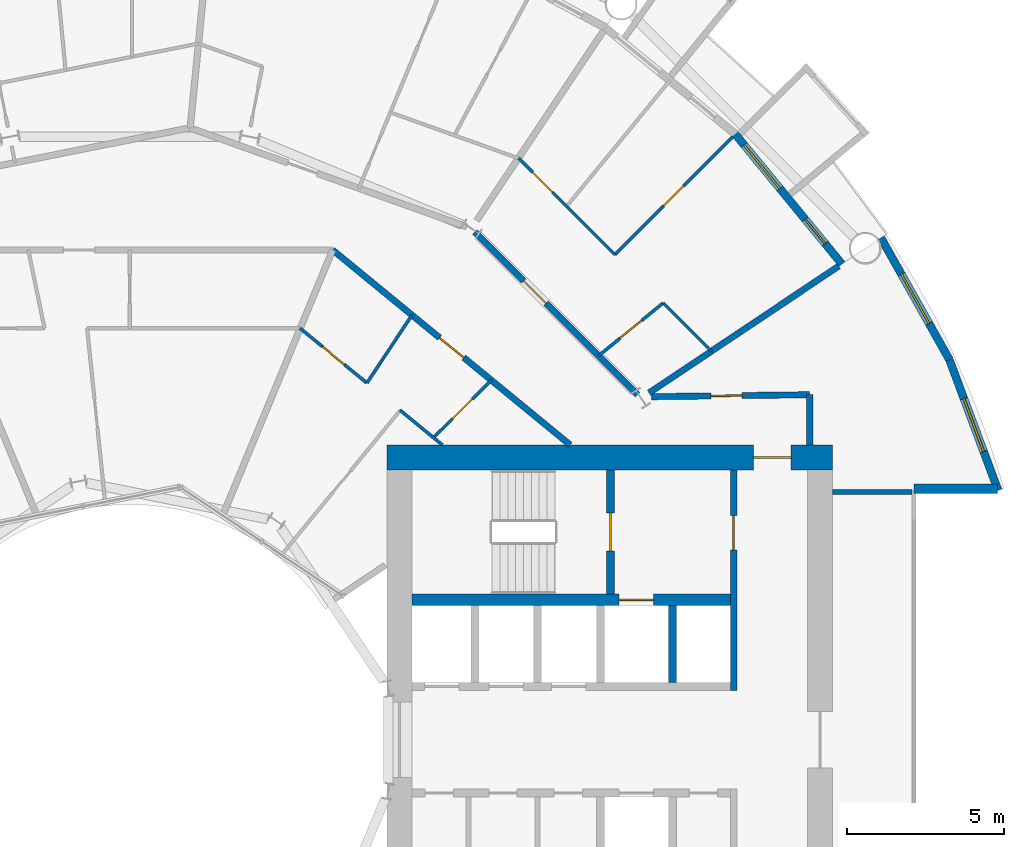
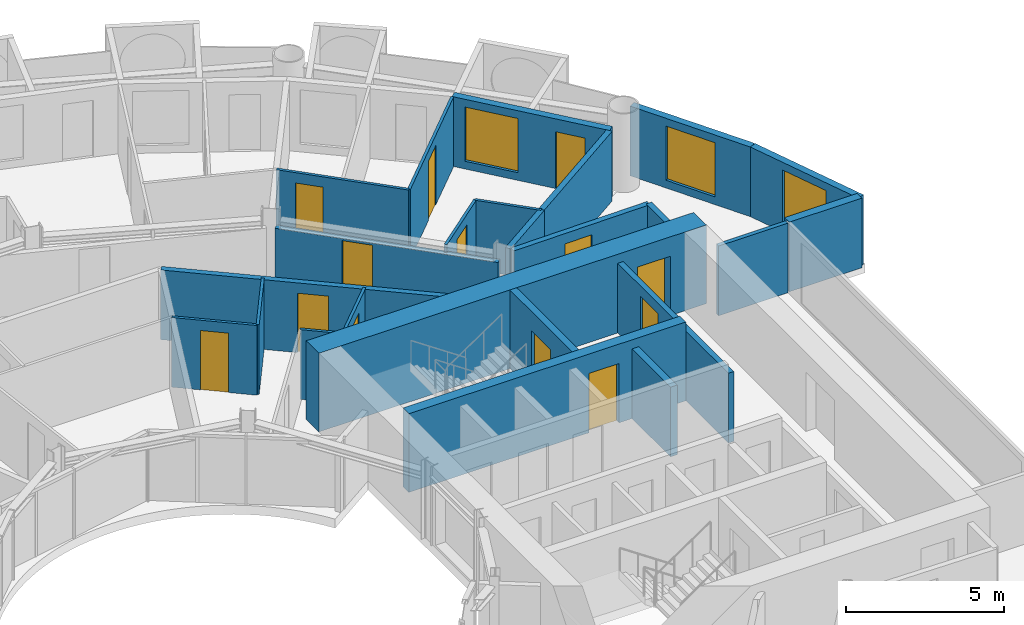
# One storey, part 21 of 26: 24 walls, 13 doors, 3 windows, 16 openings.
"""IFC4 building model written with IfcOpenShell, lengths in metres."""

from ifc_helpers import new_model, si_unit, direction, frame, frame_2d, origin, place, context, subcontext, project, spatial, rectangle, extrude, material, layer, layer_set, type_object, element, fill, save


model = new_model("IFC4")

# Units and contexts
model_context = context("Model", 3, precision=1e-05, world=origin(), true_north=direction((0.0, 1.0)))
body_context = subcontext(model_context, "Body", "Model", "MODEL_VIEW")
ifc_project = project(units=[si_unit("LENGTHUNIT", "METRE"), si_unit("AREAUNIT", "SQUARE_METRE"), si_unit("VOLUMEUNIT", "CUBIC_METRE"), si_unit("PLANEANGLEUNIT", "RADIAN"), si_unit("MASSUNIT", "GRAM", prefix="KILO")], contexts=[model_context])

# Site, building, storey
site_placement = place(None, origin())
site = spatial("IfcSite", under=ifc_project, at=site_placement, CompositionType="ELEMENT")
building_placement = place(site_placement, origin())
building = spatial("IfcBuilding", under=site, at=building_placement, Name="Maasbend Ring Residences", CompositionType="ELEMENT")
storey_placement = place(building_placement, frame((0.0, 0.0, 35.0)))
storey = spatial("IfcBuildingStorey", under=building, at=storey_placement, Name="L09", CompositionType="ELEMENT", Elevation=35.0)

# Wall, opening, door
ifc_material_1 = material(Name="Concrete C70/85", Category="concrete")
ifc_layer_1 = layer(ifc_material_1, 0.25)
ifc_layer_set_1 = layer_set([ifc_layer_1], Name="Concrete C70/85")
wall_type_1 = type_object("IfcWallType", Name="CORE WALL 250 C70/85", PredefinedType="SHEAR", material=ifc_layer_set_1)
wall_1_placement = place(storey_placement, frame((15.324951171875, 4.64990234375, 0.0), z_axis=(0.0, 0.0, 1.0), x_axis=(0.0, 1.0, 0.0)))
wall_1 = element("IfcWall", 1, at=wall_1_placement, inside=storey, type_object=wall_type_1, Name="L09 core E wall STEN", PredefinedType="SHEAR", context=body_context, shape_type="SweptSolid", body=[
    extrude(rectangle(XDim=3.9501953125, YDim=0.25, at=frame_2d((1.97509765625, 0.0))), origin(), (0.0, 0.0, 1.0), 3.050048828125),
])
opening_1_placement = place(wall_1_placement, frame((1.375, 0.0, 0.0)))
opening_1 = element("IfcOpeningElement", 2, at=opening_1_placement, cuts=wall_1, Name="Opening D-E0911", PredefinedType="OPENING", context=body_context, shape_type="SweptSolid", body=[
    extrude(rectangle(XDim=1.199951171875, YDim=2.300048828125, at=frame_2d((0.60009765625, 1.14990234375))), frame((0.0, 0.135009765625, 0.0), z_axis=(0.0, -1.0, 0.0), x_axis=(1.0, 0.0, 0.0)), (0.0, 0.0, 1.0), 0.27001953125),
])
ifc_material_2 = material(Name="Steel, powder coated", Category="steel")
door_type_1 = type_object("IfcDoorType", Name="STAIR DOOR 1200 X 2300 FD60", OperationType="NOTDEFINED", PredefinedType="DOOR", material=ifc_material_2)
door_1_placement = place(opening_1_placement, origin())
door_1 = element("IfcDoor", 3, at=door_1_placement, inside=storey, type_object=door_type_1, Name="Stair door ST-E L09", OperationType="SINGLE_SWING_LEFT", OverallHeight=2.300048828125, OverallWidth=1.199951171875, PredefinedType="DOOR", context=body_context, shape_type="SweptSolid", body=[
    extrude(rectangle(XDim=1.199951171875, YDim=2.300048828125, at=frame_2d((0.60009765625, 1.14990234375))), frame((0.0, 0.02490234375, 0.0), z_axis=(0.0, -1.0, 0.0), x_axis=(1.0, 0.0, 0.0)), (0.0, 0.0, 1.0), 0.050048828125),
])
fill(opening_1, door_1)

ifc_material_3 = material(Name="Concrete C70/85", Category="concrete")
ifc_layer_2 = layer(ifc_material_3, 0.375)
ifc_layer_set_2 = layer_set([ifc_layer_2], Name="Concrete C70/85")
wall_type_2 = type_object("IfcWallType", Name="CORE WALL 375 C70/85", PredefinedType="SHEAR", material=ifc_layer_set_2)
wall_2_placement = place(storey_placement, frame((9.0, 4.46240234375, 0.0), z_axis=(0.0, 0.0, 1.0), x_axis=(1.0, 0.0, 0.0)))
wall_2 = element("IfcWall", 4, at=wall_2_placement, inside=storey, type_object=wall_type_2, Name="L09 core E wall BN", PredefinedType="SHEAR", context=body_context, shape_type="SweptSolid", body=[
    extrude(rectangle(XDim=10.14990234375, YDim=0.375, at=frame_2d((5.074951171875, 0.0))), origin(), (0.0, 0.0, 1.0), 3.050048828125),
])
opening_2_placement = place(wall_2_placement, frame((6.60009765625, 0.0, 0.0)))
opening_2 = element("IfcOpeningElement", 5, at=opening_2_placement, cuts=wall_2, Name="Opening LD-E0904", PredefinedType="OPENING", context=body_context, shape_type="SweptSolid", body=[
    extrude(rectangle(XDim=1.10009765625, YDim=2.300048828125, at=frame_2d((0.550048828125, 1.14990234375))), frame((0.0, 0.197509765625, 0.0), z_axis=(0.0, -1.0, 0.0), x_axis=(1.0, 0.0, 0.0)), (0.0, 0.0, 1.0), 0.39501953125),
])
ifc_material_4 = material(Name="Stainless steel 316", Category="steel")
door_type_2 = type_object("IfcDoorType", Name="LANDING DOOR 1100 X 2300 FD60", OperationType="DOUBLE_DOOR_SLIDING", PredefinedType="DOOR", material=ifc_material_4)
door_2_placement = place(opening_2_placement, origin())
door_2 = element("IfcDoor", 6, at=door_2_placement, inside=storey, type_object=door_type_2, Name="Landing door FF-E L09", OperationType="DOUBLE_DOOR_SLIDING", OverallHeight=2.300048828125, OverallWidth=1.10009765625, PredefinedType="DOOR", context=body_context, shape_type="SweptSolid", body=[
    extrude(rectangle(XDim=1.10009765625, YDim=2.300048828125, at=frame_2d((0.550048828125, 1.14990234375))), frame((0.0, 0.02490234375, 0.0), z_axis=(0.0, -1.0, 0.0), x_axis=(1.0, 0.0, 0.0)), (0.0, 0.0, 1.0), 0.050048828125),
])
fill(opening_2, door_2)

ifc_material_5 = material(Name="Concrete C70/85", Category="concrete")
ifc_layer_3 = layer(ifc_material_5, 0.800048828125)
ifc_layer_set_3 = layer_set([ifc_layer_3], Name="Concrete C70/85")
wall_type_3 = type_object("IfcWallType", Name="CORE WALL 800 C70/85", PredefinedType="SHEAR", material=ifc_layer_set_3)
wall_3_placement = place(storey_placement, frame((22.39990234375, 9.0, 0.0), z_axis=(0.0, 0.0, 1.0), x_axis=(-1.0, 0.0, 0.0)))
wall_3 = element("IfcWall", 7, at=wall_3_placement, inside=storey, type_object=wall_type_3, Name="L09 core E wall PN", PredefinedType="SHEAR", context=body_context, shape_type="SweptSolid", body=[
    extrude(rectangle(XDim=14.199951171875, YDim=0.800048828125, at=frame_2d((7.10009765625, 0.0))), origin(), (0.0, 0.0, 1.0), 3.050048828125),
])
opening_3_placement = place(wall_3_placement, frame((1.324951171875, 0.0, 0.0)))
opening_3 = element("IfcOpeningElement", 8, at=opening_3_placement, cuts=wall_3, Name="Opening D-E0915", PredefinedType="OPENING", context=body_context, shape_type="SweptSolid", body=[
    extrude(rectangle(XDim=1.199951171875, YDim=2.300048828125, at=frame_2d((0.60009765625, 1.14990234375))), frame((0.0, 0.41015625, 0.0), z_axis=(0.0, -1.0, 0.0), x_axis=(1.0, 0.0, 0.0)), (0.0, 0.0, 1.0), 0.820068359375),
])
ifc_material_6 = material(Name="Steel, powder coated", Category="steel")
door_type_3 = type_object("IfcDoorType", Name="CORRIDOR DOOR 1200 X 2300 FD30S", OperationType="NOTDEFINED", PredefinedType="DOOR", material=ifc_material_6)
door_3_placement = place(opening_3_placement, origin())
door_3 = element("IfcDoor", 9, at=door_3_placement, inside=storey, type_object=door_type_3, Name="Corridor door L09", OperationType="SINGLE_SWING_RIGHT", OverallHeight=2.300048828125, OverallWidth=1.199951171875, PredefinedType="DOOR", context=body_context, shape_type="SweptSolid", body=[
    extrude(rectangle(XDim=1.199951171875, YDim=2.300048828125, at=frame_2d((0.60009765625, 1.14990234375))), frame((0.0, 0.02490234375, 0.0), z_axis=(0.0, -1.0, 0.0), x_axis=(1.0, 0.0, 0.0)), (0.0, 0.0, 1.0), 0.050048828125),
])
fill(opening_3, door_3)

# Wall
ifc_material_7 = material(Name="Concrete C30/37", Category="concrete")
ifc_layer_4 = layer(ifc_material_7, 0.199951171875)
ifc_layer_set_4 = layer_set([ifc_layer_4], Name="Concrete C30/37")
wall_type_4 = type_object("IfcWallType", Name="CORRIDOR WALL 200 CONCRETE", PredefinedType="PARTITIONING", material=ifc_layer_set_4)
wall_4_placement = place(storey_placement, frame((21.675048828125, 9.39990234375, 0.0), z_axis=(0.0, 0.0, 1.0), x_axis=(0.0, 1.0, 0.0)))
element("IfcWall", 10, at=wall_4_placement, inside=storey, type_object=wall_type_4, Name="U-L09-w004", PredefinedType="PARTITIONING", context=body_context, shape_type="SweptSolid", body=[
    extrude(rectangle(XDim=1.60009765625, YDim=0.199951171875, at=frame_2d((0.800048828125, 0.0))), origin(), (0.0, 0.0, 1.0), 2.699951171875),
])

# Wall, opening, door
wall_5_placement = place(storey_placement, frame((16.636962890625, 10.93798828125, 0.0), z_axis=(0.0, 0.0, 1.0), x_axis=(0.99992425795, 0.012307654658, 0.0)))
wall_5 = element("IfcWall", 11, at=wall_5_placement, inside=storey, type_object=wall_type_4, Name="U-L09-w094", PredefinedType="PARTITIONING", context=body_context, shape_type="SweptSolid", body=[
    extrude(rectangle(XDim=5.03857421875, YDim=0.199951171875, at=frame_2d((2.519287109375, 0.0))), origin(), (0.0, 0.0, 1.0), 2.699951171875),
])
opening_4_placement = place(wall_5_placement, frame((1.884033203125, 0.0, 0.0)))
opening_4 = element("IfcOpeningElement", 12, at=opening_4_placement, cuts=wall_5, Name="Opening D-0968", PredefinedType="OPENING", context=body_context, shape_type="SweptSolid", body=[
    extrude(rectangle(XDim=1.0, YDim=2.300048828125, at=frame_2d((0.5, 1.14990234375))), frame((0.0, 0.10986328125, 0.0), z_axis=(0.0, -1.0, 0.0), x_axis=(1.0, 0.0, 0.0)), (0.0, 0.0, 1.0), 0.219970703125),
])
ifc_material_8 = material(Name="Timber, painted", Category="wood")
door_type_4 = type_object("IfcDoorType", Name="ROOM DOOR 1000 X 2300", OperationType="NOTDEFINED", PredefinedType="DOOR", material=ifc_material_8)
door_4_placement = place(opening_4_placement, origin())
door_4 = element("IfcDoor", 13, at=door_4_placement, inside=storey, type_object=door_type_4, Name="D-0968", OperationType="SINGLE_SWING_LEFT", OverallHeight=2.300048828125, OverallWidth=1.0, PredefinedType="DOOR", context=body_context, shape_type="SweptSolid", body=[
    extrude(rectangle(XDim=1.0, YDim=2.300048828125, at=frame_2d((0.5, 1.14990234375))), frame((0.0, 0.02490234375, 0.0), z_axis=(0.0, -1.0, 0.0), x_axis=(1.0, 0.0, 0.0)), (0.0, 0.0, 1.0), 0.050048828125),
])
fill(opening_4, door_4)

wall_6_placement = place(storey_placement, frame((6.468994140625, 15.613037109375, 0.0), z_axis=(0.0, 0.0, 1.0), x_axis=(0.77298340166, -0.634426245326, 0.0)))
wall_6 = element("IfcWall", 14, at=wall_6_placement, inside=storey, type_object=wall_type_4, Name="U-L09-w104", PredefinedType="PARTITIONING", context=body_context, shape_type="SweptSolid", body=[
    extrude(rectangle(XDim=9.793212890625, YDim=0.199951171875, at=frame_2d((4.896484375, 0.0))), origin(), (0.0, 0.0, 1.0), 2.699951171875),
])
opening_5_placement = place(wall_6_placement, frame((4.404052734375, 0.0, 0.0)))
opening_5 = element("IfcOpeningElement", 15, at=opening_5_placement, cuts=wall_6, Name="Opening D-0921", PredefinedType="OPENING", context=body_context, shape_type="SweptSolid", body=[
    extrude(rectangle(XDim=1.0, YDim=2.300048828125, at=frame_2d((0.5, 1.14990234375))), frame((0.0, 0.10986328125, 0.0), z_axis=(0.0, -1.0, 0.0), x_axis=(1.0, 0.0, 0.0)), (0.0, 0.0, 1.0), 0.219970703125),
])
ifc_material_9 = material(Name="Timber, fire-rated, painted", Category="wood")
door_type_5 = type_object("IfcDoorType", Name="FLAT ENTRANCE DOOR 1000 X 2300 FIRE-RATED", OperationType="NOTDEFINED", PredefinedType="DOOR", material=ifc_material_9)
door_5_placement = place(opening_5_placement, origin())
door_5 = element("IfcDoor", 16, at=door_5_placement, inside=storey, type_object=door_type_5, Name="D-0921", OperationType="SINGLE_SWING_RIGHT", OverallHeight=2.300048828125, OverallWidth=1.0, PredefinedType="DOOR", context=body_context, shape_type="SweptSolid", body=[
    extrude(rectangle(XDim=1.0, YDim=2.300048828125, at=frame_2d((0.5, 1.14990234375))), frame((0.0, 0.02490234375, 0.0), z_axis=(0.0, -1.0, 0.0), x_axis=(1.0, 0.0, 0.0)), (0.0, 0.0, 1.0), 0.050048828125),
])
fill(opening_5, door_5)

wall_7_placement = place(storey_placement, frame((10.9990234375, 16.18701171875, 0.0), z_axis=(0.0, 0.0, 1.0), x_axis=(0.707106781187, -0.707106781187, 0.0)))
wall_7 = element("IfcWall", 17, at=wall_7_placement, inside=storey, type_object=wall_type_4, Name="U-L09-w108", PredefinedType="PARTITIONING", context=body_context, shape_type="SweptSolid", body=[
    extrude(rectangle(XDim=7.3369140625, YDim=0.199951171875, at=frame_2d((3.66845703125, 0.0))), origin(), (0.0, 0.0, 1.0), 2.3798828125),
])
opening_6_placement = place(wall_7_placement, frame((2.2119140625, 0.0, 0.0)))
opening_6 = element("IfcOpeningElement", 18, at=opening_6_placement, cuts=wall_7, Name="Opening D-0901", PredefinedType="OPENING", context=body_context, shape_type="SweptSolid", body=[
    extrude(rectangle(XDim=1.0, YDim=2.300048828125, at=frame_2d((0.5, 1.14990234375))), frame((0.0, 0.10986328125, 0.0), z_axis=(0.0, -1.0, 0.0), x_axis=(1.0, 0.0, 0.0)), (0.0, 0.0, 1.0), 0.219970703125),
])
door_6_placement = place(opening_6_placement, origin())
door_6 = element("IfcDoor", 19, at=door_6_placement, inside=storey, type_object=door_type_5, Name="D-0901", OperationType="SINGLE_SWING_LEFT", OverallHeight=2.300048828125, OverallWidth=1.0, PredefinedType="DOOR", context=body_context, shape_type="SweptSolid", body=[
    extrude(rectangle(XDim=1.0, YDim=2.300048828125, at=frame_2d((0.5, 1.14990234375))), frame((0.0, 0.02490234375, 0.0), z_axis=(0.0, -1.0, 0.0), x_axis=(1.0, 0.0, 0.0)), (0.0, 0.0, 1.0), 0.050048828125),
])
fill(opening_6, door_6)

# Wall, openings, door, window
ifc_material_10 = material(Name="Aluminium clad insulated panel", Category="aluminium")
ifc_layer_5 = layer(ifc_material_10, 0.25)
ifc_layer_set_5 = layer_set([ifc_layer_5], Name="EW-GL")
wall_type_5 = type_object("IfcWallType", Name="EW-GL", PredefinedType="SOLIDWALL", material=ifc_layer_set_5)
wall_8_placement = place(storey_placement, frame((22.698974609375, 15.1669921875, 0.0), z_axis=(0.0, 0.0, 1.0), x_axis=(-0.634382322723, 0.773019449054, 0.0)))
wall_8 = element("IfcWall", 20, at=wall_8_placement, inside=storey, type_object=wall_type_5, Name="External wall N01", PredefinedType="SOLIDWALL", context=body_context, shape_type="SweptSolid", body=[
    extrude(rectangle(XDim=5.351806640625, YDim=0.25, at=frame_2d((2.67578125, 0.0))), origin(), (0.0, 0.0, 1.0), 2.699951171875),
])
opening_7_placement = place(wall_8_placement, frame((0.841064453125, 0.0, 0.0)))
opening_7 = element("IfcOpeningElement", 21, at=opening_7_placement, cuts=wall_8, Name="Opening D-LG", PredefinedType="OPENING", context=body_context, shape_type="SweptSolid", body=[
    extrude(rectangle(XDim=1.0, YDim=2.199951171875, at=frame_2d((0.5, 1.10009765625))), frame((0.0, 0.135009765625, 0.0), z_axis=(0.0, -1.0, 0.0), x_axis=(1.0, 0.0, 0.0)), (0.0, 0.0, 1.0), 0.27001953125),
])
opening_8_placement = place(wall_8_placement, frame((3.110595703125, 0.0, 0.300048828125)))
opening_8 = element("IfcOpeningElement", 22, at=opening_8_placement, cuts=wall_8, Name="Opening W-BX", PredefinedType="OPENING", context=body_context, shape_type="SweptSolid", body=[
    extrude(rectangle(XDim=1.800048828125, YDim=2.10009765625, at=frame_2d((0.89990234375, 1.050048828125))), frame((0.0, 0.135009765625, 0.0), z_axis=(0.0, -1.0, 0.0), x_axis=(1.0, 0.0, 0.0)), (0.0, 0.0, 1.0), 0.27001953125),
])
ifc_material_11 = material(Name="Aluminium and clear glass", Category="aluminium")
door_type_6 = type_object("IfcDoorType", Name="D-LG", OperationType="SINGLE_SWING_LEFT", PredefinedType="DOOR", material=ifc_material_11)
door_7_placement = place(opening_7_placement, origin())
door_7 = element("IfcDoor", 23, at=door_7_placement, inside=storey, type_object=door_type_6, Name="Loggia door N01", OperationType="SINGLE_SWING_LEFT", OverallHeight=2.199951171875, OverallWidth=1.0, PredefinedType="DOOR", context=body_context, shape_type="SweptSolid", body=[
    extrude(rectangle(XDim=1.0, YDim=2.199951171875, at=frame_2d((0.5, 1.10009765625))), frame((0.0, 0.02490234375, 0.0), z_axis=(0.0, -1.0, 0.0), x_axis=(1.0, 0.0, 0.0)), (0.0, 0.0, 1.0), 0.050048828125),
])
fill(opening_7, door_7)
ifc_material_12 = material(Name="Aluminium and clear glass", Category="aluminium")
window_type = type_object("IfcWindowType", Name="W-BX", PartitioningType="DOUBLE_PANEL_VERTICAL", PredefinedType="WINDOW", material=ifc_material_12)
window_1_placement = place(opening_8_placement, origin())
window_1 = element("IfcWindow", 24, at=window_1_placement, inside=storey, type_object=window_type, Name="Window N02 room to box", OverallHeight=2.10009765625, OverallWidth=1.800048828125, PartitioningType="SINGLE_PANEL", PredefinedType="WINDOW", context=body_context, shape_type="SweptSolid", body=[
    extrude(rectangle(XDim=1.800048828125, YDim=2.10009765625, at=frame_2d((0.89990234375, 1.050048828125))), frame((0.0, 0.030029296875, 0.0), z_axis=(0.0, -1.0, 0.0), x_axis=(1.0, 0.0, 0.0)), (0.0, 0.0, 1.0), 0.06005859375),
])
fill(opening_8, window_1)

# Wall, opening, window
ifc_material_13 = material(Name="Aluminium clad insulated panel", Category="aluminium")
ifc_layer_6 = layer(ifc_material_13, 0.25)
ifc_layer_set_6 = layer_set([ifc_layer_6], Name="EW-HORN")
wall_type_6 = type_object("IfcWallType", Name="EW-HORN", PredefinedType="SOLIDWALL", material=ifc_layer_set_6)
wall_9_placement = place(storey_placement, frame((27.681884765625, 7.945068359375, 0.0), z_axis=(0.0, 0.0, 1.0), x_axis=(-0.349247811493, 0.937030397675, 0.0)))
wall_9 = element("IfcWall", 25, at=wall_9_placement, inside=storey, type_object=wall_type_6, Name="Horn wall 1.1", PredefinedType="SOLIDWALL", context=body_context, shape_type="SweptSolid", body=[
    extrude(rectangle(XDim=4.4521484375, YDim=0.25, at=frame_2d((2.22607421875, 0.0))), origin(), (0.0, 0.0, 1.0), 2.699951171875),
])
opening_9_placement = place(wall_9_placement, frame((1.32666015625, 0.0, 0.300048828125)))
opening_9 = element("IfcOpeningElement", 26, at=opening_9_placement, cuts=wall_9, Name="Opening W-BX", PredefinedType="OPENING", context=body_context, shape_type="SweptSolid", body=[
    extrude(rectangle(XDim=1.800048828125, YDim=2.10009765625, at=frame_2d((0.89990234375, 1.050048828125))), frame((0.0, 0.135009765625, 0.0), z_axis=(0.0, -1.0, 0.0), x_axis=(1.0, 0.0, 0.0)), (0.0, 0.0, 1.0), 0.27001953125),
])
window_2_placement = place(opening_9_placement, origin())
window_2 = element("IfcWindow", 27, at=window_2_placement, inside=storey, type_object=window_type, Name="Horn window 1.1", OverallHeight=2.10009765625, OverallWidth=1.800048828125, PartitioningType="SINGLE_PANEL", PredefinedType="WINDOW", context=body_context, shape_type="SweptSolid", body=[
    extrude(rectangle(XDim=1.800048828125, YDim=2.10009765625, at=frame_2d((0.89990234375, 1.050048828125))), frame((0.0, 0.030029296875, 0.0), z_axis=(0.0, -1.0, 0.0), x_axis=(1.0, 0.0, 0.0)), (0.0, 0.0, 1.0), 0.06005859375),
])
fill(opening_9, window_2)

wall_10_placement = place(storey_placement, frame((26.126953125, 12.116943359375, 0.0), z_axis=(0.0, 0.0, 1.0), x_axis=(-0.489696356642, 0.871893042919, 0.0)))
wall_10 = element("IfcWall", 28, at=wall_10_placement, inside=storey, type_object=wall_type_6, Name="Horn wall 1.2", PredefinedType="SOLIDWALL", context=body_context, shape_type="SweptSolid", body=[
    extrude(rectangle(XDim=4.45361328125, YDim=0.25, at=frame_2d((2.226806640625, 0.0))), origin(), (0.0, 0.0, 1.0), 2.699951171875),
])
opening_10_placement = place(wall_10_placement, frame((1.32666015625, 0.0, 0.300048828125)))
opening_10 = element("IfcOpeningElement", 29, at=opening_10_placement, cuts=wall_10, Name="Opening W-BX", PredefinedType="OPENING", context=body_context, shape_type="SweptSolid", body=[
    extrude(rectangle(XDim=1.800048828125, YDim=2.10009765625, at=frame_2d((0.89990234375, 1.050048828125))), frame((0.0, 0.135009765625, 0.0), z_axis=(0.0, -1.0, 0.0), x_axis=(1.0, 0.0, 0.0)), (0.0, 0.0, 1.0), 0.27001953125),
])
window_3_placement = place(opening_10_placement, origin())
window_3 = element("IfcWindow", 30, at=window_3_placement, inside=storey, type_object=window_type, Name="Horn window 1.2", OverallHeight=2.10009765625, OverallWidth=1.800048828125, PartitioningType="SINGLE_PANEL", PredefinedType="WINDOW", context=body_context, shape_type="SweptSolid", body=[
    extrude(rectangle(XDim=1.800048828125, YDim=2.10009765625, at=frame_2d((0.89990234375, 1.050048828125))), frame((0.0, 0.030029296875, 0.0), z_axis=(0.0, -1.0, 0.0), x_axis=(1.0, 0.0, 0.0)), (0.0, 0.0, 1.0), 0.06005859375),
])
fill(opening_10, window_3)

# Walls
ifc_material_14 = material(Name="Aluminium clad insulated panel", Category="aluminium")
ifc_layer_7 = layer(ifc_material_14, 0.300048828125)
ifc_layer_set_7 = layer_set([ifc_layer_7], Name="EW-RET")
wall_type_7 = type_object("IfcWallType", Name="EW-RET", PredefinedType="SOLIDWALL", material=ifc_layer_set_7)
wall_11_placement = place(storey_placement, frame((25.0, 8.0, 0.0), z_axis=(0.0, 0.0, 1.0), x_axis=(1.0, 0.0, 0.0)))
element("IfcWall", 31, at=wall_11_placement, inside=storey, type_object=wall_type_7, Name="Notch return wall east north", PredefinedType="SOLIDWALL", context=body_context, shape_type="SweptSolid", body=[
    extrude(rectangle(XDim=2.6669921875, YDim=0.300048828125, at=frame_2d((1.33349609375, 0.0))), origin(), (0.0, 0.0, 1.0), 2.699951171875),
])
ifc_material_15 = material(Name="Gypsum board on steel studs", Category="steel")
ifc_layer_8 = layer(ifc_material_15, 0.10009765625)
ifc_layer_set_8 = layer_set([ifc_layer_8], Name="PARTITION 100 GYPSUM")
wall_type_8 = type_object("IfcWallType", Name="PARTITION 100 GYPSUM", PredefinedType="PARTITIONING", material=ifc_layer_set_8)
wall_12_placement = place(storey_placement, frame((7.56005859375, 11.375, 0.0), z_axis=(0.0, 0.0, 1.0), x_axis=(0.553354377247, 0.83294593653, 0.0)))
element("IfcWall", 32, at=wall_12_placement, inside=storey, type_object=wall_type_8, Name="U-L09-w076", PredefinedType="PARTITIONING", context=body_context, shape_type="SweptSolid", body=[
    extrude(rectangle(XDim=2.596923828125, YDim=0.10009765625, at=frame_2d((1.29833984375, 0.0))), origin(), (0.0, 0.0, 1.0), 2.699951171875),
])

# Wall, opening, door
wall_13_placement = place(storey_placement, frame((9.68310546875, 9.632080078125, 0.0), z_axis=(0.0, 0.0, 1.0), x_axis=(0.708796844581, 0.705412668665, 0.0)))
wall_13 = element("IfcWall", 33, at=wall_13_placement, inside=storey, type_object=wall_type_8, Name="U-L09-w079", PredefinedType="PARTITIONING", context=body_context, shape_type="SweptSolid", body=[
    extrude(rectangle(XDim=2.59716796875, YDim=0.10009765625, at=frame_2d((1.298583984375, 0.0))), origin(), (0.0, 0.0, 1.0), 2.699951171875),
])
opening_11_placement = place(wall_13_placement, frame((0.84912109375, 0.0, 0.0)))
opening_11 = element("IfcOpeningElement", 34, at=opening_11_placement, cuts=wall_13, Name="Opening D-0923", PredefinedType="OPENING", context=body_context, shape_type="SweptSolid", body=[
    extrude(rectangle(XDim=0.89990234375, YDim=2.300048828125, at=frame_2d((0.449951171875, 1.14990234375))), frame((0.0, 0.06005859375, 0.0), z_axis=(0.0, -1.0, 0.0), x_axis=(1.0, 0.0, 0.0)), (0.0, 0.0, 1.0), 0.1201171875),
])
ifc_material_16 = material(Name="Timber, painted", Category="wood")
door_type_7 = type_object("IfcDoorType", Name="INTERNAL DOOR 900 X 2300", OperationType="NOTDEFINED", PredefinedType="DOOR", material=ifc_material_16)
door_8_placement = place(opening_11_placement, origin())
door_8 = element("IfcDoor", 35, at=door_8_placement, inside=storey, type_object=door_type_7, Name="D-0923", OperationType="SINGLE_SWING_LEFT", OverallHeight=2.300048828125, OverallWidth=0.89990234375, PredefinedType="DOOR", context=body_context, shape_type="SweptSolid", body=[
    extrude(rectangle(XDim=0.89990234375, YDim=2.300048828125, at=frame_2d((0.449951171875, 1.14990234375))), frame((0.0, 0.02490234375, 0.0), z_axis=(0.0, -1.0, 0.0), x_axis=(1.0, 0.0, 0.0)), (0.0, 0.0, 1.0), 0.050048828125),
])
fill(opening_11, door_8)

wall_14_placement = place(storey_placement, frame((14.945068359375, 12.240966796875, 0.0), z_axis=(0.0, 0.0, 1.0), x_axis=(0.77367517848, 0.633582447834, 0.0)))
wall_14 = element("IfcWall", 36, at=wall_14_placement, inside=storey, type_object=wall_type_8, Name="U-L09-w087", PredefinedType="PARTITIONING", context=body_context, shape_type="SweptSolid", body=[
    extrude(rectangle(XDim=2.6611328125, YDim=0.10009765625, at=frame_2d((1.33056640625, 0.0))), origin(), (0.0, 0.0, 1.0), 2.699951171875),
])
opening_12_placement = place(wall_14_placement, frame((0.881103515625, 0.0, 0.0)))
opening_12 = element("IfcOpeningElement", 37, at=opening_12_placement, cuts=wall_14, Name="Opening D-0902", PredefinedType="OPENING", context=body_context, shape_type="SweptSolid", body=[
    extrude(rectangle(XDim=0.89990234375, YDim=2.300048828125, at=frame_2d((0.449951171875, 1.14990234375))), frame((0.0, 0.06005859375, 0.0), z_axis=(0.0, -1.0, 0.0), x_axis=(1.0, 0.0, 0.0)), (0.0, 0.0, 1.0), 0.1201171875),
])
door_9_placement = place(opening_12_placement, origin())
door_9 = element("IfcDoor", 38, at=door_9_placement, inside=storey, type_object=door_type_7, Name="D-0902", OperationType="SINGLE_SWING_LEFT", OverallHeight=2.300048828125, OverallWidth=0.89990234375, PredefinedType="DOOR", context=body_context, shape_type="SweptSolid", body=[
    extrude(rectangle(XDim=0.89990234375, YDim=2.300048828125, at=frame_2d((0.449951171875, 1.14990234375))), frame((0.0, 0.02490234375, 0.0), z_axis=(0.0, -1.0, 0.0), x_axis=(1.0, 0.0, 0.0)), (0.0, 0.0, 1.0), 0.050048828125),
])
fill(opening_12, door_9)

wall_15_placement = place(storey_placement, frame((15.465087890625, 15.465087890625, 0.0), z_axis=(0.0, 0.0, 1.0), x_axis=(0.707106781187, 0.707106781187, 0.0)))
wall_15 = element("IfcWall", 39, at=wall_15_placement, inside=storey, type_object=wall_type_8, Name="U-L09-w088", PredefinedType="PARTITIONING", context=body_context, shape_type="SweptSolid", body=[
    extrude(rectangle(XDim=5.3046875, YDim=0.10009765625, at=frame_2d((2.65234375, 0.0))), origin(), (0.0, 0.0, 1.0), 2.699951171875),
])
opening_13_placement = place(wall_15_placement, frame((2.201904296875, 0.0, 0.0)))
opening_13 = element("IfcOpeningElement", 40, at=opening_13_placement, cuts=wall_15, Name="Opening D-0903", PredefinedType="OPENING", context=body_context, shape_type="SweptSolid", body=[
    extrude(rectangle(XDim=0.89990234375, YDim=2.300048828125, at=frame_2d((0.449951171875, 1.14990234375))), frame((0.0, 0.06005859375, 0.0), z_axis=(0.0, -1.0, 0.0), x_axis=(1.0, 0.0, 0.0)), (0.0, 0.0, 1.0), 0.1201171875),
])
door_10_placement = place(opening_13_placement, origin())
door_10 = element("IfcDoor", 41, at=door_10_placement, inside=storey, type_object=door_type_7, Name="D-0903", OperationType="SINGLE_SWING_RIGHT", OverallHeight=2.300048828125, OverallWidth=0.89990234375, PredefinedType="DOOR", context=body_context, shape_type="SweptSolid", body=[
    extrude(rectangle(XDim=0.89990234375, YDim=2.300048828125, at=frame_2d((0.449951171875, 1.14990234375))), frame((0.0, 0.02490234375, 0.0), z_axis=(0.0, -1.0, 0.0), x_axis=(1.0, 0.0, 0.0)), (0.0, 0.0, 1.0), 0.050048828125),
])
fill(opening_13, door_10)

wall_16_placement = place(storey_placement, frame((5.427001953125, 13.12109375, 0.0), z_axis=(0.0, 0.0, 1.0), x_axis=(0.773323547924, -0.634011585246, 0.0)))
wall_16 = element("IfcWall", 42, at=wall_16_placement, inside=storey, type_object=wall_type_8, Name="U-L09-w100", PredefinedType="PARTITIONING", context=body_context, shape_type="SweptSolid", body=[
    extrude(rectangle(XDim=2.747802734375, YDim=0.10009765625, at=frame_2d((1.3740234375, 0.0))), origin(), (0.0, 0.0, 1.0), 2.699951171875),
])
opening_14_placement = place(wall_16_placement, frame((0.929931640625, 0.0, 0.0)))
opening_14 = element("IfcOpeningElement", 43, at=opening_14_placement, cuts=wall_16, Name="Opening D-0922", PredefinedType="OPENING", context=body_context, shape_type="SweptSolid", body=[
    extrude(rectangle(XDim=0.89990234375, YDim=2.300048828125, at=frame_2d((0.449951171875, 1.14990234375))), frame((0.0, 0.06005859375, 0.0), z_axis=(0.0, -1.0, 0.0), x_axis=(1.0, 0.0, 0.0)), (0.0, 0.0, 1.0), 0.1201171875),
])
door_11_placement = place(opening_14_placement, origin())
door_11 = element("IfcDoor", 44, at=door_11_placement, inside=storey, type_object=door_type_7, Name="D-0922", OperationType="SINGLE_SWING_RIGHT", OverallHeight=2.300048828125, OverallWidth=0.89990234375, PredefinedType="DOOR", context=body_context, shape_type="SweptSolid", body=[
    extrude(rectangle(XDim=0.89990234375, YDim=2.300048828125, at=frame_2d((0.449951171875, 1.14990234375))), frame((0.0, 0.02490234375, 0.0), z_axis=(0.0, -1.0, 0.0), x_axis=(1.0, 0.0, 0.0)), (0.0, 0.0, 1.0), 0.050048828125),
])
fill(opening_14, door_11)

# Wall
wall_17_placement = place(storey_placement, frame((8.613037109375, 10.509033203125, 0.0), z_axis=(0.0, 0.0, 1.0), x_axis=(0.773141825369, -0.634233173104, 0.0)))
element("IfcWall", 45, at=wall_17_placement, inside=storey, type_object=wall_type_8, Name="U-L09-w101", PredefinedType="PARTITIONING", context=body_context, shape_type="SweptSolid", body=[
    extrude(rectangle(XDim=1.748779296875, YDim=0.10009765625, at=frame_2d((0.87451171875, 0.0))), origin(), (0.0, 0.0, 1.0), 2.699951171875),
])

# Wall, opening, door
wall_18_placement = place(storey_placement, frame((12.388916015625, 18.5419921875, 0.0), z_axis=(0.0, 0.0, 1.0), x_axis=(0.707022606819, -0.707190945535, 0.0)))
wall_18 = element("IfcWall", 46, at=wall_18_placement, inside=storey, type_object=wall_type_8, Name="U-L09-w117", PredefinedType="PARTITIONING", context=body_context, shape_type="SweptSolid", body=[
    extrude(rectangle(XDim=4.350830078125, YDim=0.10009765625, at=frame_2d((2.17529296875, 0.0))), origin(), (0.0, 0.0, 1.0), 2.699951171875),
])
opening_15_placement = place(wall_18_placement, frame((0.638916015625, 0.0, 0.0)))
opening_15 = element("IfcOpeningElement", 47, at=opening_15_placement, cuts=wall_18, Name="Opening D-0904", PredefinedType="OPENING", context=body_context, shape_type="SweptSolid", body=[
    extrude(rectangle(XDim=0.89990234375, YDim=2.300048828125, at=frame_2d((0.449951171875, 1.14990234375))), frame((0.0, 0.06005859375, 0.0), z_axis=(0.0, -1.0, 0.0), x_axis=(1.0, 0.0, 0.0)), (0.0, 0.0, 1.0), 0.1201171875),
])
door_12_placement = place(opening_15_placement, origin())
door_12 = element("IfcDoor", 48, at=door_12_placement, inside=storey, type_object=door_type_7, Name="D-0904", OperationType="SINGLE_SWING_LEFT", OverallHeight=2.300048828125, OverallWidth=0.89990234375, PredefinedType="DOOR", context=body_context, shape_type="SweptSolid", body=[
    extrude(rectangle(XDim=0.89990234375, YDim=2.300048828125, at=frame_2d((0.449951171875, 1.14990234375))), frame((0.0, 0.02490234375, 0.0), z_axis=(0.0, -1.0, 0.0), x_axis=(1.0, 0.0, 0.0)), (0.0, 0.0, 1.0), 0.050048828125),
])
fill(opening_15, door_12)

# Walls
wall_19_placement = place(storey_placement, frame((17.006103515625, 13.924072265625, 0.0), z_axis=(0.0, 0.0, 1.0), x_axis=(0.706826194425, -0.707387256653, 0.0)))
element("IfcWall", 49, at=wall_19_placement, inside=storey, type_object=wall_type_8, Name="U-L09-w118", PredefinedType="PARTITIONING", context=body_context, shape_type="SweptSolid", body=[
    extrude(rectangle(XDim=2.17578125, YDim=0.10009765625, at=frame_2d((1.087890625, 0.0))), origin(), (0.0, 0.0, 1.0), 2.699951171875),
])
ifc_material_17 = material(Name="Gypsum board on steel studs", Category="steel")
ifc_layer_9 = layer(ifc_material_17, 0.14990234375)
ifc_layer_set_9 = layer_set([ifc_layer_9], Name="PARTITION 150 EI 60")
wall_type_9 = type_object("IfcWallType", Name="PARTITION 150 EI 60", PredefinedType="PARTITIONING", material=ifc_layer_set_9)
wall_20_placement = place(storey_placement, frame((22.39990234375, 7.89990234375, 0.0), z_axis=(0.0, 0.0, 1.0), x_axis=(1.0, 0.0, 0.0)))
element("IfcWall", 50, at=wall_20_placement, inside=storey, type_object=wall_type_9, Name="L09 core E wall CITN", PredefinedType="PARTITIONING", context=body_context, shape_type="SweptSolid", body=[
    extrude(rectangle(XDim=2.5400390625, YDim=0.14990234375, at=frame_2d((1.27001953125, 0.0))), origin(), (0.0, 0.0, 1.0), 2.699951171875),
])
ifc_material_18 = material(Name="Concrete C30/37", Category="concrete")
ifc_layer_10 = layer(ifc_material_18, 0.199951171875)
ifc_layer_set_10 = layer_set([ifc_layer_10], Name="Concrete C30/37")
wall_type_10 = type_object("IfcWallType", Name="PARTY WALL 200 CONCRETE", PredefinedType="PARTITIONING", material=ifc_layer_set_10)
wall_21_placement = place(storey_placement, frame((18.5419921875, 12.388916015625, 0.0), z_axis=(0.0, 0.0, 1.0), x_axis=(0.831387096605, 0.55569370664, 0.0)))
element("IfcWall", 51, at=wall_21_placement, inside=storey, type_object=wall_type_10, Name="U-L09-w090", PredefinedType="PARTITIONING", context=body_context, shape_type="SweptSolid", body=[
    extrude(rectangle(XDim=4.875, YDim=0.199951171875, at=frame_2d((2.4375, 0.0))), origin(), (0.0, 0.0, 1.0), 2.699951171875),
])
wall_22_placement = place(storey_placement, frame((16.554931640625, 11.06103515625, 0.0), z_axis=(0.0, 0.0, 1.0), x_axis=(0.832066006555, 0.554676627176, 0.0)))
element("IfcWall", 52, at=wall_22_placement, inside=storey, type_object=wall_type_10, Name="U-L09-w091", PredefinedType="PARTITIONING", context=body_context, shape_type="SweptSolid", body=[
    extrude(rectangle(XDim=2.390380859375, YDim=0.199951171875, at=frame_2d((1.1953125, 0.0))), origin(), (0.0, 0.0, 1.0), 2.699951171875),
])

# Wall, opening, door
ifc_material_19 = material(Name="Concrete C30/37", Category="concrete")
ifc_layer_11 = layer(ifc_material_19, 0.199951171875)
ifc_layer_set_11 = layer_set([ifc_layer_11], Name="Concrete C30/37")
wall_type_11 = type_object("IfcWallType", Name="SHAFT WALL 200 EI 120", PredefinedType="SOLIDWALL", material=ifc_layer_set_11)
wall_23_placement = place(storey_placement, frame((19.25, 1.574951171875, 0.0), z_axis=(0.0, 0.0, 1.0), x_axis=(0.0, 1.0, 0.0)))
wall_23 = element("IfcWall", 53, at=wall_23_placement, inside=storey, type_object=wall_type_11, Name="L09 core E wall ENDN", PredefinedType="SOLIDWALL", context=body_context, shape_type="SweptSolid", body=[
    extrude(rectangle(XDim=7.025146484375, YDim=0.199951171875, at=frame_2d((3.5126953125, 0.0))), origin(), (0.0, 0.0, 1.0), 2.699951171875),
])
opening_16_placement = place(wall_23_placement, frame((4.47509765625, 0.0, 0.0)))
opening_16 = element("IfcOpeningElement", 54, at=opening_16_placement, cuts=wall_23, Name="Opening D-E0913", PredefinedType="OPENING", context=body_context, shape_type="SweptSolid", body=[
    extrude(rectangle(XDim=1.10009765625, YDim=2.300048828125, at=frame_2d((0.550048828125, 1.14990234375))), frame((0.0, 0.10986328125, 0.0), z_axis=(0.0, -1.0, 0.0), x_axis=(1.0, 0.0, 0.0)), (0.0, 0.0, 1.0), 0.219970703125),
])
ifc_material_20 = material(Name="Steel, powder coated", Category="steel")
door_type_8 = type_object("IfcDoorType", Name="LOBBY DOOR 1100 X 2300 FD60", OperationType="NOTDEFINED", PredefinedType="DOOR", material=ifc_material_20)
door_13_placement = place(opening_16_placement, origin())
door_13 = element("IfcDoor", 55, at=door_13_placement, inside=storey, type_object=door_type_8, Name="Lobby door L09", OperationType="SINGLE_SWING_LEFT", OverallHeight=2.300048828125, OverallWidth=1.10009765625, PredefinedType="DOOR", context=body_context, shape_type="SweptSolid", body=[
    extrude(rectangle(XDim=1.10009765625, YDim=2.300048828125, at=frame_2d((0.550048828125, 1.14990234375))), frame((0.0, 0.02490234375, 0.0), z_axis=(0.0, -1.0, 0.0), x_axis=(1.0, 0.0, 0.0)), (0.0, 0.0, 1.0), 0.050048828125),
])
fill(opening_16, door_13)

# Wall
ifc_material_21 = material(Name="Concrete C30/37", Category="concrete")
ifc_layer_12 = layer(ifc_material_21, 0.25)
ifc_layer_set_12 = layer_set([ifc_layer_12], Name="Concrete C30/37")
wall_type_12 = type_object("IfcWallType", Name="SHAFT WALL 250 EI 120", PredefinedType="SOLIDWALL", material=ifc_layer_set_12)
wall_24_placement = place(storey_placement, frame((17.300048828125, 1.824951171875, 0.0), z_axis=(0.0, 0.0, 1.0), x_axis=(0.0, 1.0, 0.0)))
element("IfcWall", 56, at=wall_24_placement, inside=storey, type_object=wall_type_12, Name="L09 core E wall D173N", PredefinedType="SOLIDWALL", context=body_context, shape_type="SweptSolid", body=[
    extrude(rectangle(XDim=2.449951171875, YDim=0.25, at=frame_2d((1.22509765625, 0.0))), origin(), (0.0, 0.0, 1.0), 2.699951171875),
])

save(model, "model.ifc")
